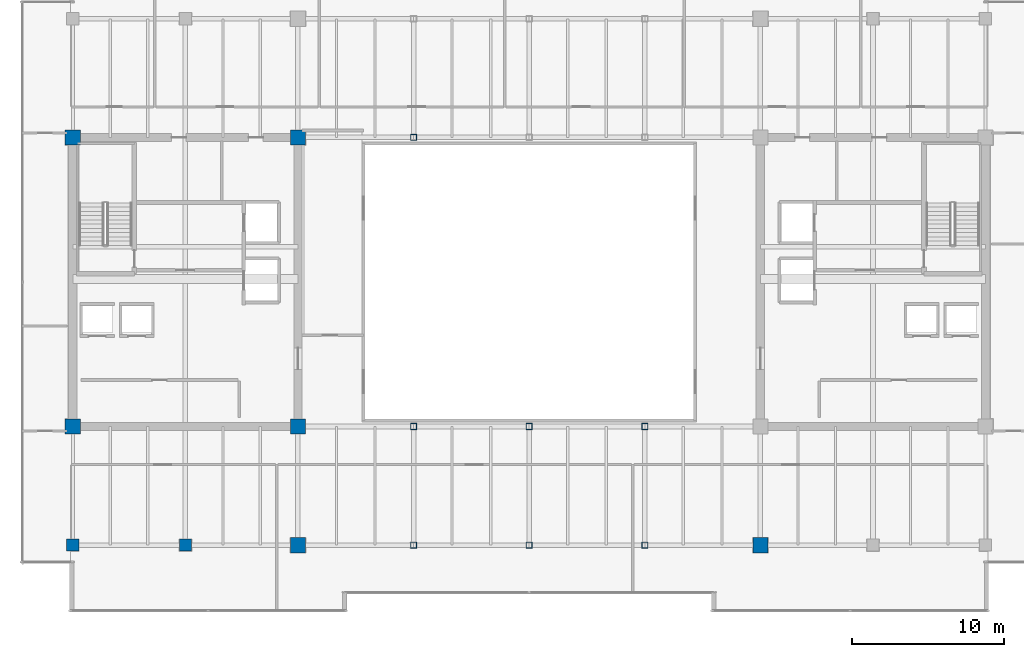
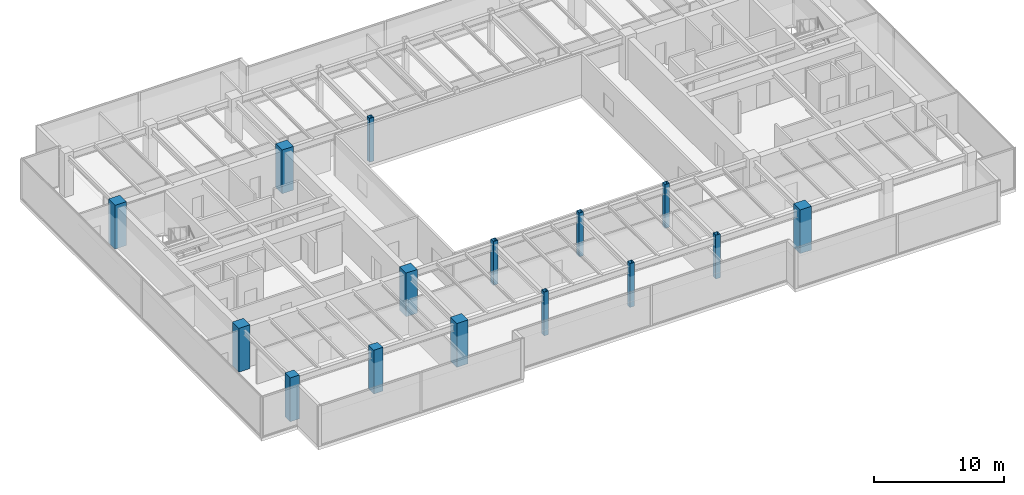
# One storey, part 1 of 35: 15 columns.
"""IFC4 building model written with IfcOpenShell, lengths in metres."""

from ifc_helpers import new_model, si_unit, direction, frame, origin, origin_2d, place, context, subcontext, project, spatial, rectangle, hollow_rectangle, extrude, source, transform, mapped, material, material_profile, profile_set, type_object, type_shapes, element, save


model = new_model("IFC4")

# Units and contexts
model_context = context("Model", 3, precision=1e-05, world=origin(), true_north=direction((0.0, 1.0)))
body_context = subcontext(model_context, "Body", "Model", "MODEL_VIEW")
ifc_project = project(units=[si_unit("LENGTHUNIT", "METRE"), si_unit("AREAUNIT", "SQUARE_METRE"), si_unit("VOLUMEUNIT", "CUBIC_METRE"), si_unit("PLANEANGLEUNIT", "RADIAN"), si_unit("MASSUNIT", "GRAM", prefix="KILO")], contexts=[model_context])

# Site, building, storey
site_placement = place(None, origin())
site = spatial("IfcSite", under=ifc_project, at=site_placement, CompositionType="ELEMENT")
building_placement = place(site_placement, origin())
building = spatial("IfcBuilding", under=site, at=building_placement, Name="Haelvirn Gate Laboratories", CompositionType="ELEMENT")
storey_placement = place(building_placement, frame((0.0, 0.0, 234.199951171875)))
storey = spatial("IfcBuildingStorey", under=building, at=storey_placement, Name="L56", CompositionType="ELEMENT", Elevation=234.199951171875)

# Columns
ifc_material_1 = material(Name="Concrete C60/75", Category="concrete")
ifc_material_profile_1 = material_profile(ifc_material_1, rectangle(XDim=1.0, YDim=1.0, at=origin_2d()), Name="RC-1000x1000")
ifc_profile_set_1 = profile_set([ifc_material_profile_1], Name="Concrete C60/75")
column_type_1 = type_object("IfcColumnType", Name="COL-RC-1000", PredefinedType="COLUMN", material=ifc_profile_set_1)
shared_shape_1 = source(origin(), body_context, "Body", "SweptSolid", [
    extrude(rectangle(XDim=1.0, YDim=1.0, at=origin_2d()), origin(), (0.0, 0.0, 1.0), 4.10009765625),
])
type_shapes(column_type_1, [shared_shape_1])
for number, where, z_axis, x_axis, name in (
    (1, (22.199951171875, 7.0, 0.0), (0.0, 0.0, 1.0), (1.0, 0.0, 0.0), "L56 Column 4B"),
    (2, (7.39990234375, 14.800048828125, 0.0), (0.0, 0.0, 1.0), (1.0, 0.0, 0.0), "L56 Column 2C"),
    (3, (22.199951171875, 14.800048828125, 0.0), (0.0, 0.0, 1.0), (1.0, 0.0, 0.0), "L56 Column 4C"),
    (4, (7.39990234375, 33.800048828125, 0.0), (0.0, 0.0, 1.0), (1.0, 0.0, 0.0), "L56 Column 2F"),
    (5, (22.199951171875, 33.800048828125, 0.0), (0.0, 0.0, 1.0), (1.0, 0.0, 0.0), "L56 Column 4F"),
    (6, (52.60009765625, 7.0, 0.0), (0.0, 0.0, 1.0), (1.0, 0.0, 0.0), "L56 Column 8B"),
):
    element("IfcColumn", number, at=place(storey_placement, frame(where, z_axis=z_axis, x_axis=x_axis)), inside=storey, type_object=column_type_1, Name=name, PredefinedType="COLUMN", context=body_context, shape_type="MappedRepresentation", body=[
        mapped(shared_shape_1, transform((0.0, 0.0, 0.0), scale=1.0)),
    ])
ifc_material_2 = material(Name="Concrete C50/60", Category="concrete")
ifc_material_profile_2 = material_profile(ifc_material_2, rectangle(XDim=0.800048828125, YDim=0.800048828125, at=origin_2d()), Name="RC-800x800")
ifc_profile_set_2 = profile_set([ifc_material_profile_2], Name="Concrete C50/60")
column_type_2 = type_object("IfcColumnType", Name="COL-RC-800", PredefinedType="COLUMN", material=ifc_profile_set_2)
shared_shape_2 = source(origin(), body_context, "Body", "SweptSolid", [
    extrude(rectangle(XDim=0.800048828125, YDim=0.800048828125, at=origin_2d()), origin(), (0.0, 0.0, 1.0), 4.10009765625),
])
type_shapes(column_type_2, [shared_shape_2])
for number, where, z_axis, x_axis, name in (
    (7, (14.800048828125, 7.0, 0.0), (0.0, 0.0, 1.0), (1.0, 0.0, 0.0), "L56 Column 3B"),
    (8, (7.39990234375, 7.0, 0.0), (0.0, 0.0, 1.0), (1.0, 0.0, 0.0), "L56 Column 2B"),
):
    element("IfcColumn", number, at=place(storey_placement, frame(where, z_axis=z_axis, x_axis=x_axis)), inside=storey, type_object=column_type_2, Name=name, PredefinedType="COLUMN", context=body_context, shape_type="MappedRepresentation", body=[
        mapped(shared_shape_2, transform((0.0, 0.0, 0.0), scale=1.0)),
    ])
ifc_material_3 = material(Name="Steel SM355", Category="steel")
ifc_material_profile_3 = material_profile(ifc_material_3, hollow_rectangle(XDim=0.39990234375, YDim=0.39990234375, WallThickness=0.01904296875, at=origin_2d()), Name="BOX-400x400x19")
ifc_profile_set_3 = profile_set([ifc_material_profile_3], Name="Steel SM355")
column_type_3 = type_object("IfcColumnType", Name="COL-BOX-400", PredefinedType="COLUMN", material=ifc_profile_set_3)
shared_shape_3 = source(origin(), body_context, "Body", "SweptSolid", [
    extrude(hollow_rectangle(XDim=0.39990234375, YDim=0.39990234375, WallThickness=0.01904296875, at=origin_2d()), origin(), (0.0, 0.0, 1.0), 4.10009765625),
])
type_shapes(column_type_3, [shared_shape_3])
for number, where, z_axis, x_axis, name in (
    (9, (29.800048828125, 7.0, 0.0), (0.0, 0.0, 1.0), (1.0, 0.0, 0.0), "L56 Column 5B"),
    (10, (29.800048828125, 14.800048828125, 0.0), (0.0, 0.0, 1.0), (1.0, 0.0, 0.0), "L56 Column 5C"),
    (11, (29.800048828125, 33.800048828125, 0.0), (0.0, 0.0, 1.0), (1.0, 0.0, 0.0), "L56 Column 5F"),
    (12, (37.39990234375, 7.0, 0.0), (0.0, 0.0, 1.0), (1.0, 0.0, 0.0), "L56 Column 6B"),
    (13, (37.39990234375, 14.800048828125, 0.0), (0.0, 0.0, 1.0), (1.0, 0.0, 0.0), "L56 Column 6C"),
    (14, (45.0, 7.0, 0.0), (0.0, 0.0, 1.0), (1.0, 0.0, 0.0), "L56 Column 7B"),
    (15, (45.0, 14.800048828125, 0.0), (0.0, 0.0, 1.0), (1.0, 0.0, 0.0), "L56 Column 7C"),
):
    element("IfcColumn", number, at=place(storey_placement, frame(where, z_axis=z_axis, x_axis=x_axis)), inside=storey, type_object=column_type_3, Name=name, PredefinedType="COLUMN", context=body_context, shape_type="MappedRepresentation", body=[
        mapped(shared_shape_3, transform((0.0, 0.0, 0.0), scale=1.0)),
    ])

save(model, "model.ifc")
